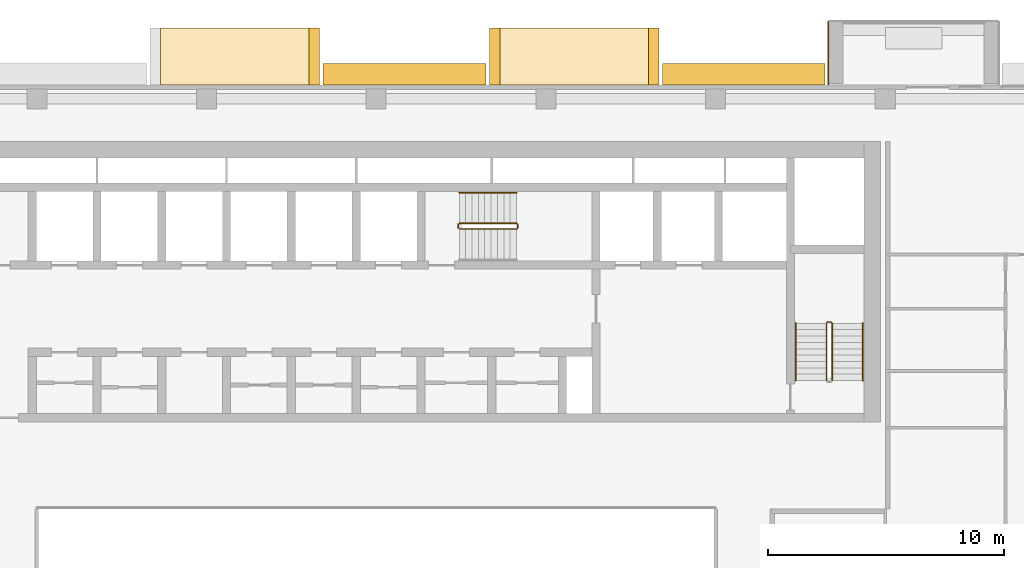
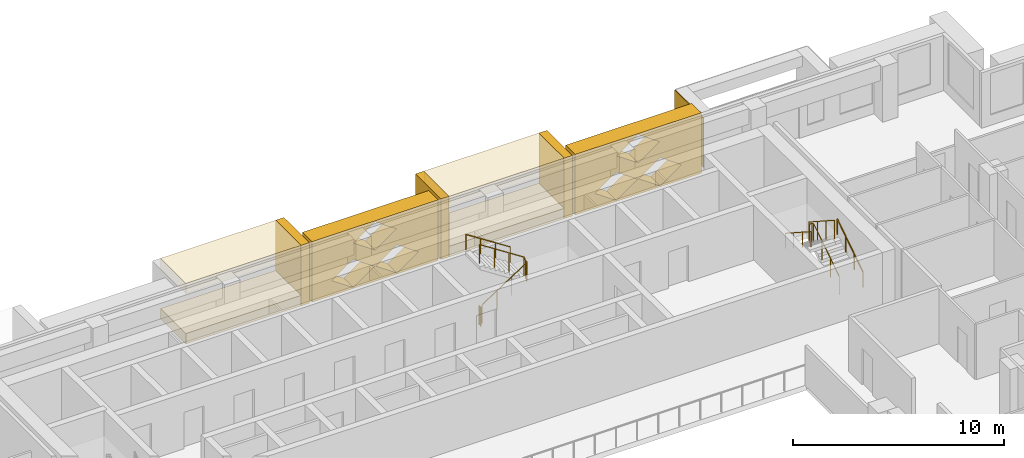
# One storey, part 19 of 20: 10 coverings, 6 railings.
"""IFC4 building model written with IfcOpenShell, lengths in metres."""

from ifc_helpers import new_model, si_unit, direction, frame, origin, origin_2d, place, context, subcontext, project, spatial, polyline, circle, outline, extrude, material, layer, layer_set, type_object, element, save


model = new_model("IFC4")

# Units and contexts
model_context = context("Model", 3, precision=1e-05, world=origin(), true_north=direction((0.0, 1.0)))
body_context = subcontext(model_context, "Body", "Model", "MODEL_VIEW")
ifc_project = project(units=[si_unit("LENGTHUNIT", "METRE"), si_unit("AREAUNIT", "SQUARE_METRE"), si_unit("VOLUMEUNIT", "CUBIC_METRE"), si_unit("PLANEANGLEUNIT", "RADIAN"), si_unit("MASSUNIT", "GRAM", prefix="KILO")], contexts=[model_context])

# Site, building, storey
site_placement = place(None, origin())
site = spatial("IfcSite", under=ifc_project, at=site_placement, CompositionType="ELEMENT")
building_placement = place(site_placement, origin())
building = spatial("IfcBuilding", under=site, at=building_placement, Name="Saffron Iwan Residences", CompositionType="ELEMENT")
storey_placement = place(building_placement, frame((0.0, 0.0, 143.0)))
storey = spatial("IfcBuildingStorey", under=building, at=storey_placement, Name="L37", CompositionType="ELEMENT", Elevation=143.0)

# Coverings
ifc_material_1 = material(Name="Precast concrete C40/50 white painted", Category="concrete")
ifc_layer = layer(ifc_material_1, 0.050048828125)
ifc_layer_set = layer_set([ifc_layer], Name="Precast concrete C40/50 white painted")
covering_type_1 = type_object("IfcCoveringType", Name="FRAME SKIN PRECAST WHITE 50", PredefinedType="CLADDING", material=ifc_layer_set)
covering_1_placement = place(storey_placement, origin())
element("IfcCovering", 1, at=covering_1_placement, inside=storey, type_object=covering_type_1, Name="Frame skin fin L37 F5-0b", PredefinedType="CLADDING", context=body_context, shape_type="SweptSolid", body=[
    extrude(outline(polyline([(69.60009765625, 83.10009765625), (69.550048828125, 83.10009765625), (69.550048828125, 80.39990234375), (69.60009765625, 80.39990234375), (69.60009765625, 83.10009765625)])), origin(), (0.0, 0.0, 1.0), 2.85009765625),
])
ifc_material_2 = material(Name="Precast concrete C40/50", Category="concrete")
covering_type_2 = type_object("IfcCoveringType", Name="OUTER SKIN LATTICE SCREEN", PredefinedType="CLADDING", material=ifc_material_2)
for number, where, z_axis, x_axis, name in (
    (2, (69.449951171875, 80.39990234375, -0.300048828125), (0.0, 1.0, 0.0), (-1.0, 0.0, 0.0), "OUTER SKIN lattice screen L37 F5.1"),
    (3, (55.050048828125, 80.39990234375, -0.300048828125), (0.0, 1.0, 0.0), (-1.0, 0.0, 0.0), "OUTER SKIN lattice screen L37 F5.2"),
):
    element("IfcCovering", number, at=place(storey_placement, frame(where, z_axis=z_axis, x_axis=x_axis)), inside=storey, type_object=covering_type_2, Name=name, PredefinedType="CLADDING", context=body_context, shape_type="SweptSolid", body=[
        extrude(outline(polyline([(0.0, 0.0), (6.89990234375, 0.0), (6.89990234375, 3.5), (0.0, 3.5), (0.0, 0.0)]), holes=[polyline([(1.070068359375, 0.875), (2.25, 0.06005859375), (3.429931640625, 0.875), (2.25, 1.68994140625), (1.070068359375, 0.875)]), polyline([(3.469970703125, 0.875), (4.64990234375, 0.06005859375), (5.830078125, 0.875), (4.64990234375, 1.68994140625), (3.469970703125, 0.875)]), polyline([(2.27001953125, 2.625), (3.449951171875, 1.81005859375), (4.6298828125, 2.625), (3.449951171875, 3.43994140625), (2.27001953125, 2.625)])]), origin(), (0.0, 0.0, 1.0), 0.900146484375),
    ])

# Railings
ifc_material_3 = material(Name="Steel S355", Category="steel")
railing_type_1 = type_object("IfcRailingType", Name="Stair guard 1100", PredefinedType="GUARDRAIL", material=ifc_material_3)
railing_1_placement = place(storey_placement, frame((53.925048828125, 74.27490234375, 0.175048828125)))
element("IfcRailing", 4, at=railing_1_placement, inside=storey, type_object=railing_type_1, Name="L37 ST-C stair guard 1", PredefinedType="GUARDRAIL", context=body_context, shape_type="SweptSolid", body=[
    extrude(circle(Radius=0.02392578125, at=origin_2d()), frame((0.0, 0.0, 1.076171875), z_axis=(0.839153699163, 0.0, 0.543894354798), x_axis=(0.0, 1.0, 0.0)), (0.0, 0.0, 1.0), 2.895751953125),
    extrude(circle(Radius=0.02392578125, at=origin_2d()), frame((2.429931640625, 0.0, 2.65087890625), z_axis=(0.707106781187, 0.707106781187, 0.0), x_axis=(-0.707106781187, 0.707106781187, 0.0)), (0.0, 0.0, 1.0), 0.07080078125),
    extrude(circle(Radius=0.02392578125, at=origin_2d()), frame((2.47998046875, 0.050048828125, 2.65087890625), z_axis=(0.0, 1.0, 0.0), x_axis=(-1.0, 0.0, 0.0)), (0.0, 0.0, 1.0), 0.150146484375),
    extrude(circle(Radius=0.02392578125, at=origin_2d()), frame((2.47998046875, 0.2001953125, 2.65087890625), z_axis=(-0.265155923931, 0.263862480399, 0.927399011991), x_axis=(-0.705375805398, -0.708833529934, 0.0)), (0.0, 0.0, 1.0), 0.188720703125),
    extrude(circle(Radius=0.02392578125, at=origin_2d()), frame((2.429931640625, 0.25, 2.826171875), z_axis=(-0.839153699163, 0.0, 0.543894354798), x_axis=(0.0, -1.0, 0.0)), (0.0, 0.0, 1.0), 2.895751953125),
    extrude(circle(Radius=0.02099609375, at=origin_2d()), origin(), (0.0, 0.0, 1.0), 1.052001953125),
    extrude(circle(Radius=0.02099609375, at=origin_2d()), frame((0.81005859375, 0.0, 0.52490234375)), (0.0, 0.0, 1.0), 1.052001953125),
    extrude(circle(Radius=0.02099609375, at=origin_2d()), frame((1.619873046875, 0.0, 1.050048828125)), (0.0, 0.0, 1.0), 1.052001953125),
    extrude(circle(Radius=0.02099609375, at=origin_2d()), frame((2.429931640625, 0.0, 1.574951171875)), (0.0, 0.0, 1.0), 1.052001953125),
    extrude(circle(Radius=0.02099609375, at=origin_2d()), frame((2.47998046875, 0.050048828125, 1.574951171875)), (0.0, 0.0, 1.0), 1.052001953125),
    extrude(circle(Radius=0.02099609375, at=origin_2d()), frame((2.47998046875, 0.2001953125, 1.574951171875)), (0.0, 0.0, 1.0), 1.052001953125),
    extrude(circle(Radius=0.02099609375, at=origin_2d()), frame((2.429931640625, 0.25, 1.75)), (0.0, 0.0, 1.0), 1.052001953125),
    extrude(circle(Radius=0.02099609375, at=origin_2d()), frame((1.619873046875, 0.25, 2.27490234375)), (0.0, 0.0, 1.0), 1.052001953125),
    extrude(circle(Radius=0.02099609375, at=origin_2d()), frame((0.81005859375, 0.25, 2.800048828125)), (0.0, 0.0, 1.0), 1.052001953125),
    extrude(circle(Radius=0.02099609375, at=origin_2d()), frame((0.0, 0.25, 3.324951171875)), (0.0, 0.0, 1.0), 1.052001953125),
])
railing_2_placement = place(storey_placement, frame((53.875, 74.324951171875, 0.0)))
element("IfcRailing", 5, at=railing_2_placement, inside=storey, type_object=railing_type_1, Name="L37 ST-C stair guard 2", PredefinedType="GUARDRAIL", context=body_context, shape_type="SweptSolid", body=[
    extrude(circle(Radius=0.02392578125, at=origin_2d()), frame((0.0, 0.0, 1.076171875), z_axis=(0.0, 1.0, 0.0), x_axis=(-1.0, 0.0, 0.0)), (0.0, 0.0, 1.0), 0.150146484375),
    extrude(circle(Radius=0.02099609375, at=origin_2d()), origin(), (0.0, 0.0, 1.0), 1.052001953125),
    extrude(circle(Radius=0.02099609375, at=origin_2d()), frame((0.0, 0.150146484375, 0.0)), (0.0, 0.0, 1.0), 1.052001953125),
])
railing_3_placement = place(storey_placement, frame((69.75, 67.85009765625, 0.175048828125)))
element("IfcRailing", 6, at=railing_3_placement, inside=storey, type_object=railing_type_1, Name="L37 ST-E stair guard 1", PredefinedType="GUARDRAIL", context=body_context, shape_type="SweptSolid", body=[
    extrude(circle(Radius=0.02392578125, at=origin_2d()), frame((0.0, 0.0, 1.076171875), z_axis=(0.0, 0.839153699163, 0.543894354798), x_axis=(-1.0, 0.0, 0.0)), (0.0, 0.0, 1.0), 2.895751953125),
    extrude(circle(Radius=0.02392578125, at=origin_2d()), frame((0.0, 2.429931640625, 2.65087890625), z_axis=(-0.707106781187, 0.707106781187, 0.0), x_axis=(-0.707106781187, -0.707106781187, 0.0)), (0.0, 0.0, 1.0), 0.07080078125),
    extrude(circle(Radius=0.02392578125, at=origin_2d()), frame((-0.050048828125, 2.47998046875, 2.65087890625), z_axis=(-1.0, 0.0, 0.0), x_axis=(0.0, -1.0, 0.0)), (0.0, 0.0, 1.0), 0.14990234375),
    extrude(circle(Radius=0.02392578125, at=origin_2d()), frame((-0.199951171875, 2.47998046875, 2.65087890625), z_axis=(-0.265065253269, -0.265065253269, 0.927081885822), x_axis=(0.707106781187, -0.707106781187, 0.0)), (0.0, 0.0, 1.0), 0.188720703125),
    extrude(circle(Radius=0.02392578125, at=origin_2d()), frame((-0.25, 2.429931640625, 2.826171875), z_axis=(0.0, -0.839153699163, 0.543894354798), x_axis=(1.0, 0.0, 0.0)), (0.0, 0.0, 1.0), 2.895751953125),
    extrude(circle(Radius=0.02099609375, at=origin_2d()), origin(), (0.0, 0.0, 1.0), 1.052001953125),
    extrude(circle(Radius=0.02099609375, at=origin_2d()), frame((0.0, 0.81005859375, 0.52490234375)), (0.0, 0.0, 1.0), 1.052001953125),
    extrude(circle(Radius=0.02099609375, at=origin_2d()), frame((0.0, 1.619873046875, 1.050048828125)), (0.0, 0.0, 1.0), 1.052001953125),
    extrude(circle(Radius=0.02099609375, at=origin_2d()), frame((0.0, 2.429931640625, 1.574951171875)), (0.0, 0.0, 1.0), 1.052001953125),
    extrude(circle(Radius=0.02099609375, at=origin_2d()), frame((-0.050048828125, 2.47998046875, 1.574951171875)), (0.0, 0.0, 1.0), 1.052001953125),
    extrude(circle(Radius=0.02099609375, at=origin_2d()), frame((-0.199951171875, 2.47998046875, 1.574951171875)), (0.0, 0.0, 1.0), 1.052001953125),
    extrude(circle(Radius=0.02099609375, at=origin_2d()), frame((-0.25, 2.429931640625, 1.75)), (0.0, 0.0, 1.0), 1.052001953125),
    extrude(circle(Radius=0.02099609375, at=origin_2d()), frame((-0.25, 1.619873046875, 2.27490234375)), (0.0, 0.0, 1.0), 1.052001953125),
    extrude(circle(Radius=0.02099609375, at=origin_2d()), frame((-0.25, 0.81005859375, 2.800048828125)), (0.0, 0.0, 1.0), 1.052001953125),
    extrude(circle(Radius=0.02099609375, at=origin_2d()), frame((-0.25, 0.0, 3.324951171875)), (0.0, 0.0, 1.0), 1.052001953125),
])
ifc_material_4 = material(Name="Stainless steel 316", Category="steel")
railing_type_2 = type_object("IfcRailingType", Name="Stair handrail 900", PredefinedType="HANDRAIL", material=ifc_material_4)
railing_4_placement = place(storey_placement, frame((56.35498046875, 75.824951171875, 1.925048828125)))
element("IfcRailing", 7, at=railing_4_placement, inside=storey, type_object=railing_type_2, Name="L37 ST-C stair handrail 2", PredefinedType="HANDRAIL", context=body_context, shape_type="SweptSolid", body=[
    extrude(circle(Radius=0.02392578125, at=origin_2d()), frame((0.0, 0.0, 0.8759765625), z_axis=(-0.839153699163, 0.0, 0.543894354798), x_axis=(0.0, -1.0, 0.0)), (0.0, 0.0, 1.0), 2.895751953125),
    extrude(circle(Radius=0.02099609375, at=origin_2d()), origin(), (0.0, 0.0, 1.0), 0.851806640625),
    extrude(circle(Radius=0.02099609375, at=origin_2d()), frame((-0.81005859375, 0.0, 0.52490234375)), (0.0, 0.0, 1.0), 0.851806640625),
    extrude(circle(Radius=0.02099609375, at=origin_2d()), frame((-1.619873046875, 0.0, 1.050048828125)), (0.0, 0.0, 1.0), 0.851806640625),
    extrude(circle(Radius=0.02099609375, at=origin_2d()), frame((-2.429931640625, 0.0, 1.574951171875)), (0.0, 0.0, 1.0), 0.851806640625),
])
railing_5_placement = place(storey_placement, frame((71.050048828125, 67.85009765625, 0.175048828125)))
element("IfcRailing", 8, at=railing_5_placement, inside=storey, type_object=railing_type_2, Name="L37 ST-E stair handrail 1", PredefinedType="HANDRAIL", context=body_context, shape_type="SweptSolid", body=[
    extrude(circle(Radius=0.02392578125, at=origin_2d()), frame((0.0, 0.0, 0.8759765625), z_axis=(0.0, 0.839153699163, 0.543894354798), x_axis=(-1.0, 0.0, 0.0)), (0.0, 0.0, 1.0), 2.895751953125),
    extrude(circle(Radius=0.02099609375, at=origin_2d()), origin(), (0.0, 0.0, 1.0), 0.851806640625),
    extrude(circle(Radius=0.02099609375, at=origin_2d()), frame((0.0, 0.81005859375, 0.52490234375)), (0.0, 0.0, 1.0), 0.851806640625),
    extrude(circle(Radius=0.02099609375, at=origin_2d()), frame((0.0, 1.619873046875, 1.050048828125)), (0.0, 0.0, 1.0), 0.851806640625),
    extrude(circle(Radius=0.02099609375, at=origin_2d()), frame((0.0, 2.429931640625, 1.574951171875)), (0.0, 0.0, 1.0), 0.851806640625),
])
railing_6_placement = place(storey_placement, frame((68.199951171875, 70.280029296875, 1.925048828125)))
element("IfcRailing", 9, at=railing_6_placement, inside=storey, type_object=railing_type_2, Name="L37 ST-E stair handrail 2", PredefinedType="HANDRAIL", context=body_context, shape_type="SweptSolid", body=[
    extrude(circle(Radius=0.02392578125, at=origin_2d()), frame((0.0, 0.0, 0.8759765625), z_axis=(0.0, -0.839153699163, 0.543894354798), x_axis=(1.0, 0.0, 0.0)), (0.0, 0.0, 1.0), 2.895751953125),
    extrude(circle(Radius=0.02099609375, at=origin_2d()), origin(), (0.0, 0.0, 1.0), 0.851806640625),
    extrude(circle(Radius=0.02099609375, at=origin_2d()), frame((0.0, -0.81005859375, 0.52490234375)), (0.0, 0.0, 1.0), 0.851806640625),
    extrude(circle(Radius=0.02099609375, at=origin_2d()), frame((0.0, -1.619873046875, 1.050048828125)), (0.0, 0.0, 1.0), 0.851806640625),
    extrude(circle(Radius=0.02099609375, at=origin_2d()), frame((0.0, -2.429931640625, 1.574951171875)), (0.0, 0.0, 1.0), 0.851806640625),
])

# Coverings
covering_type_3 = type_object("IfcCoveringType", Name="WHITE SUN FRAME PRECAST", PredefinedType="CLADDING", material=ifc_material_1)
for number, where, z_axis, x_axis, name in (
    (10, (62.39990234375, 80.39990234375, -0.300048828125), (0.0, 1.0, 0.0), (-1.0, 0.0, 0.0), "Sun frame L37 F5 20.4a"),
    (11, (55.64990234375, 80.39990234375, -0.300048828125), (0.0, 1.0, 0.0), (-1.0, 0.0, 0.0), "Sun frame L37 F5 20.4b"),
):
    element("IfcCovering", number, at=place(storey_placement, frame(where, z_axis=z_axis, x_axis=x_axis)), inside=storey, type_object=covering_type_3, Name=name, PredefinedType="CLADDING", context=body_context, shape_type="SweptSolid", body=[
        extrude(outline(polyline([(0.0, 0.0), (0.449951171875, 0.0), (0.449951171875, 3.5), (0.0, 3.5), (0.0, 0.0)])), origin(), (0.0, 0.0, 1.0), 2.400146484375),
    ])
for number, where, z_axis, x_axis, name in (
    (12, (61.949951171875, 80.39990234375, 2.60009765625), (0.0, 1.0, 0.0), (-1.0, 0.0, 0.0), "Sun frame L37 F5 20.4h"),
    (13, (61.949951171875, 80.39990234375, -0.300048828125), (0.0, 1.0, 0.0), (-1.0, 0.0, 0.0), "Sun frame L37 F5 20.4s"),
):
    element("IfcCovering", number, at=place(storey_placement, frame(where, z_axis=z_axis, x_axis=x_axis)), inside=storey, type_object=covering_type_3, Name=name, PredefinedType="CLADDING", context=body_context, shape_type="SweptSolid", body=[
        extrude(outline(polyline([(0.0, 0.0), (6.300048828125, 0.0), (6.300048828125, 0.60009765625), (0.0, 0.60009765625), (0.0, 0.0)])), origin(), (0.0, 0.0, 1.0), 2.400146484375),
    ])
covering_2_placement = place(storey_placement, frame((48.0, 80.39990234375, -0.300048828125), z_axis=(0.0, 1.0, 0.0), x_axis=(-1.0, 0.0, 0.0)))
element("IfcCovering", 14, at=covering_2_placement, inside=storey, type_object=covering_type_3, Name="Sun frame L37 F5 34.8a", PredefinedType="CLADDING", context=body_context, shape_type="SweptSolid", body=[
    extrude(outline(polyline([(0.0, 0.0), (0.449951171875, 0.0), (0.449951171875, 3.5), (0.0, 3.5), (0.0, 0.0)])), origin(), (0.0, 0.0, 1.0), 2.400146484375),
])
for number, where, z_axis, x_axis, name in (
    (15, (47.550048828125, 80.39990234375, 2.60009765625), (0.0, 1.0, 0.0), (-1.0, 0.0, 0.0), "Sun frame L37 F5 34.8h"),
    (16, (47.550048828125, 80.39990234375, -0.300048828125), (0.0, 1.0, 0.0), (-1.0, 0.0, 0.0), "Sun frame L37 F5 34.8s"),
):
    element("IfcCovering", number, at=place(storey_placement, frame(where, z_axis=z_axis, x_axis=x_axis)), inside=storey, type_object=covering_type_3, Name=name, PredefinedType="CLADDING", context=body_context, shape_type="SweptSolid", body=[
        extrude(outline(polyline([(0.0, 0.0), (6.300048828125, 0.0), (6.300048828125, 0.60009765625), (0.0, 0.60009765625), (0.0, 0.0)])), origin(), (0.0, 0.0, 1.0), 2.400146484375),
    ])

save(model, "model.ifc")
